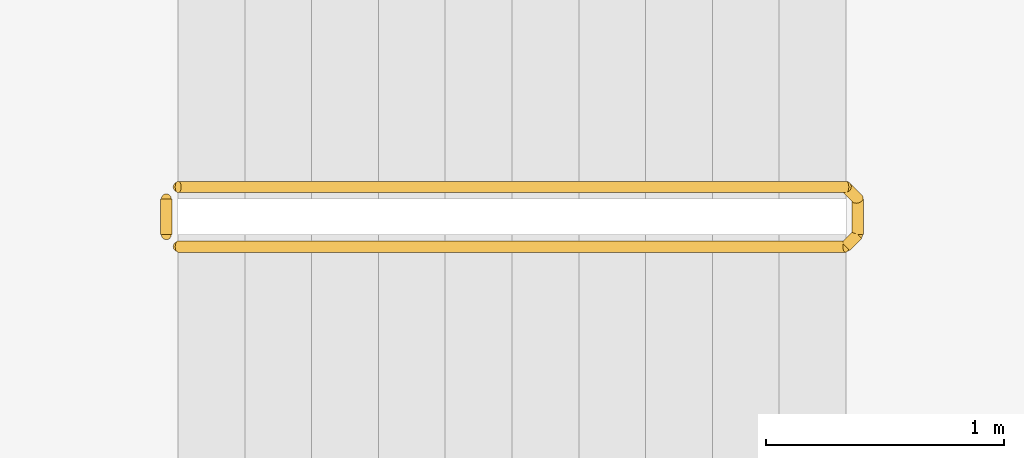
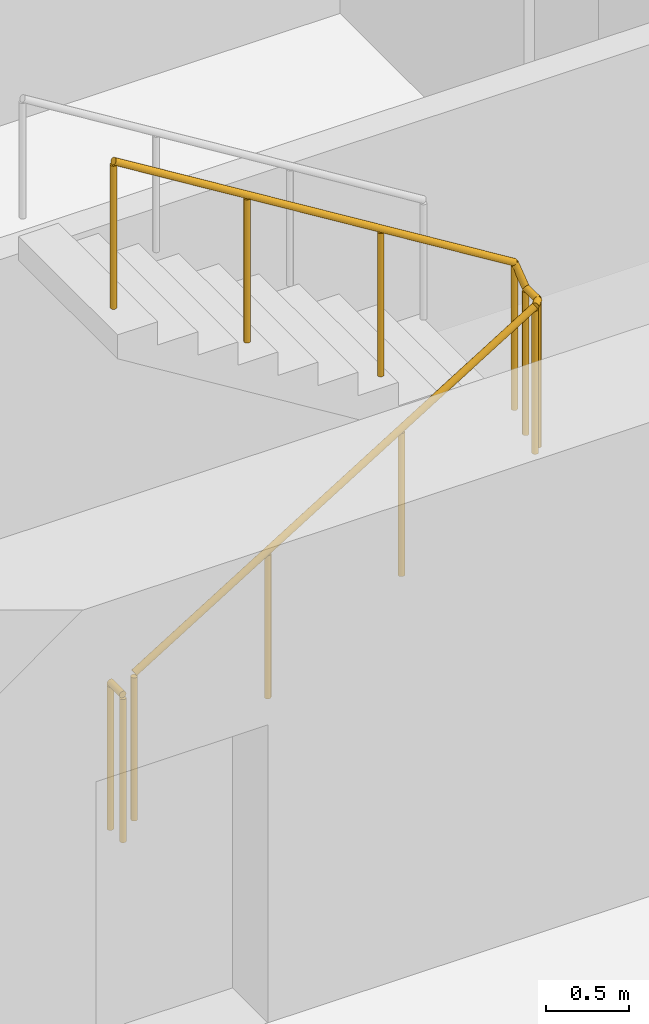
# One storey, part 9 of 13: 2 railings.
"""IFC4 building model written with IfcOpenShell, lengths in metres."""

from ifc_helpers import new_model, si_unit, direction, frame, origin, origin_2d, place, context, subcontext, project, spatial, circle, extrude, material, type_object, element, save


model = new_model("IFC4")

# Units and contexts
model_context = context("Model", 3, precision=1e-05, world=origin(), true_north=direction((0.0, 1.0)))
body_context = subcontext(model_context, "Body", "Model", "MODEL_VIEW")
ifc_project = project(units=[si_unit("LENGTHUNIT", "METRE"), si_unit("AREAUNIT", "SQUARE_METRE"), si_unit("VOLUMEUNIT", "CUBIC_METRE"), si_unit("PLANEANGLEUNIT", "RADIAN"), si_unit("MASSUNIT", "GRAM", prefix="KILO")], contexts=[model_context])

# Site, building, storey
site_placement = place(None, origin())
site = spatial("IfcSite", under=ifc_project, at=site_placement, CompositionType="ELEMENT")
building_placement = place(site_placement, origin())
building = spatial("IfcBuilding", under=site, at=building_placement, Name="Orbiselva Terraces", CompositionType="ELEMENT")
storey_placement = place(building_placement, frame((0.0, 0.0, 69.4)))
storey = spatial("IfcBuildingStorey", under=building, at=storey_placement, Name="L17", CompositionType="ELEMENT", Elevation=69.4)

# Railings
ifc_material = material(Name="Stainless steel", Category="steel")
railing_type = type_object("IfcRailingType", Name="CORE-GUARD-1100", PredefinedType="GUARDRAIL", material=ifc_material)
railing_1_placement = place(storey_placement, frame((-7.15, 6.55, 0.172727)))
element("IfcRailing", 1, at=railing_1_placement, inside=storey, type_object=railing_type, Name="L17 S3 stair guard 1", PredefinedType="GUARDRAIL", context=body_context, shape_type="SweptSolid", body=[
    extrude(circle(Radius=0.024, at=origin_2d()), frame((0.0, 0.0, 1.081), z_axis=(0.851088519012, 0.0, 0.52502222125), x_axis=(0.0, 1.0, 0.0)), (0.0, 0.0, 1.0), 3.289905),
    extrude(circle(Radius=0.024, at=origin_2d()), frame((2.8, 0.0, 2.808273), z_axis=(0.707106781187, 0.707106781187, 0.0), x_axis=(-0.707106781187, 0.707106781187, 0.0)), (0.0, 0.0, 1.0), 0.070711),
    extrude(circle(Radius=0.024, at=origin_2d()), frame((2.85, 0.05, 2.808273), z_axis=(0.0, 1.0, 0.0), x_axis=(-1.0, 0.0, 0.0)), (0.0, 0.0, 1.0), 0.15),
    extrude(circle(Radius=0.024, at=origin_2d()), frame((2.85, 0.2, 2.808273), z_axis=(-0.267894925557, 0.267894925557, 0.925453736133), x_axis=(-0.707106781187, -0.707106781187, 0.0)), (0.0, 0.0, 1.0), 0.18664),
    extrude(circle(Radius=0.024, at=origin_2d()), frame((2.8, 0.25, 2.981), z_axis=(-0.851088519012, 0.0, 0.52502222125), x_axis=(0.0, -1.0, 0.0)), (0.0, 0.0, 1.0), 3.289905),
    extrude(circle(Radius=0.021, at=origin_2d()), origin(), (0.0, 0.0, 1.0), 1.057),
    extrude(circle(Radius=0.021, at=origin_2d()), frame((0.933333, 0.0, 0.575758)), (0.0, 0.0, 1.0), 1.057),
    extrude(circle(Radius=0.021, at=origin_2d()), frame((1.866667, 0.0, 1.151515)), (0.0, 0.0, 1.0), 1.057),
    extrude(circle(Radius=0.021, at=origin_2d()), frame((2.8, 0.0, 1.727273)), (0.0, 0.0, 1.0), 1.057),
    extrude(circle(Radius=0.021, at=origin_2d()), frame((2.85, 0.05, 1.727273)), (0.0, 0.0, 1.0), 1.057),
    extrude(circle(Radius=0.021, at=origin_2d()), frame((2.85, 0.2, 1.727273)), (0.0, 0.0, 1.0), 1.057),
    extrude(circle(Radius=0.021, at=origin_2d()), frame((2.8, 0.25, 1.9)), (0.0, 0.0, 1.0), 1.057),
    extrude(circle(Radius=0.021, at=origin_2d()), frame((1.866667, 0.25, 2.475758)), (0.0, 0.0, 1.0), 1.057),
    extrude(circle(Radius=0.021, at=origin_2d()), frame((0.933333, 0.25, 3.051515)), (0.0, 0.0, 1.0), 1.057),
    extrude(circle(Radius=0.021, at=origin_2d()), frame((0.0, 0.25, 3.627273)), (0.0, 0.0, 1.0), 1.057),
])
railing_2_placement = place(storey_placement, frame((-7.2, 6.6, 0.0)))
element("IfcRailing", 2, at=railing_2_placement, inside=storey, type_object=railing_type, Name="L17 S3 stair guard 2", PredefinedType="GUARDRAIL", context=body_context, shape_type="SweptSolid", body=[
    extrude(circle(Radius=0.024, at=origin_2d()), frame((0.0, 0.0, 1.081), z_axis=(0.0, 1.0, 0.0), x_axis=(-1.0, 0.0, 0.0)), (0.0, 0.0, 1.0), 0.15),
    extrude(circle(Radius=0.021, at=origin_2d()), origin(), (0.0, 0.0, 1.0), 1.057),
    extrude(circle(Radius=0.021, at=origin_2d()), frame((0.0, 0.15, 0.0)), (0.0, 0.0, 1.0), 1.057),
])

save(model, "model.ifc")
